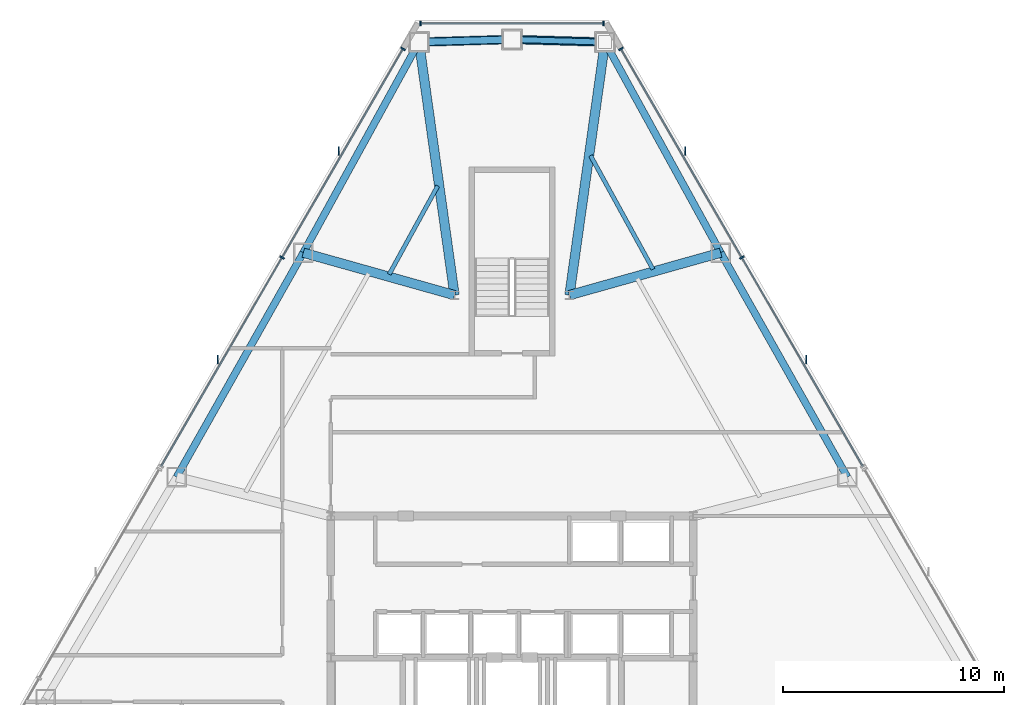
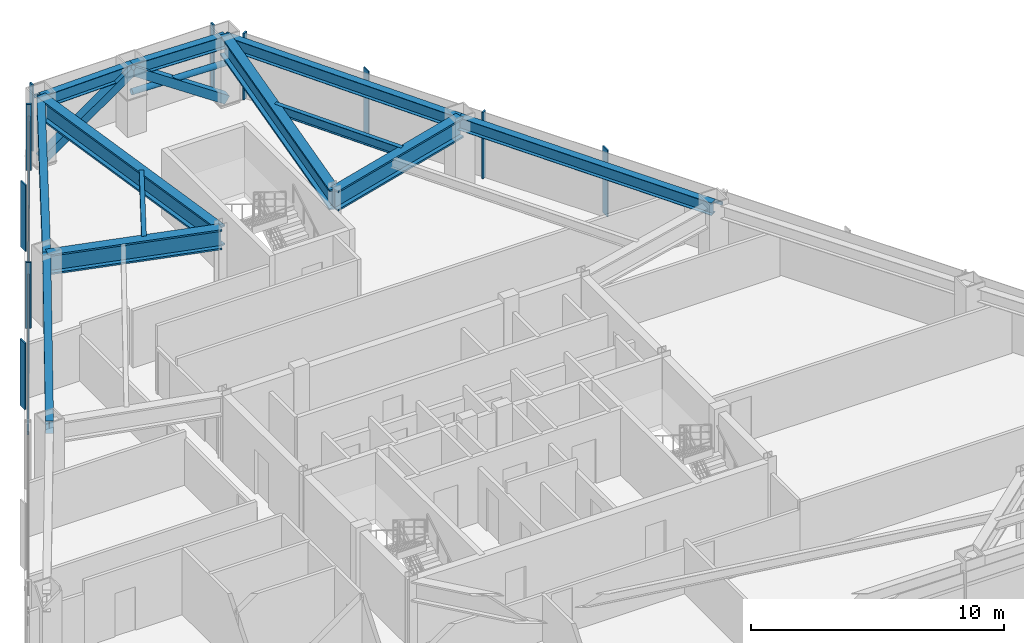
# One storey, part 8 of 13: 16 members, 12 beams, 3 elements without a shape of their own.
"""IFC4 building model written with IfcOpenShell, lengths in metres."""

from ifc_helpers import new_model, si_unit, direction, frame, origin, origin_2d, place, context, subcontext, project, spatial, rectangle, hollow_rectangle, hollow_circle, i_section, extrude, source, transform, mapped, material, layer, layer_set, material_profile, profile_set, type_object, type_shapes, element, aggregate, save


model = new_model("IFC4")

# Units and contexts
model_context = context("Model", 3, precision=1e-05, world=origin(), true_north=direction((0.0, 1.0)))
body_context = subcontext(model_context, "Body", "Model", "MODEL_VIEW")
ifc_project = project(units=[si_unit("LENGTHUNIT", "METRE"), si_unit("AREAUNIT", "SQUARE_METRE"), si_unit("VOLUMEUNIT", "CUBIC_METRE"), si_unit("PLANEANGLEUNIT", "RADIAN"), si_unit("MASSUNIT", "GRAM", prefix="KILO")], contexts=[model_context])

# Site, building, storey
site_placement = place(None, origin())
site = spatial("IfcSite", under=ifc_project, at=site_placement, CompositionType="ELEMENT")
building_placement = place(site_placement, origin())
building = spatial("IfcBuilding", under=site, at=building_placement, Name="Varakhsha Concourse Tower", CompositionType="ELEMENT")
storey_placement = place(building_placement, frame((0.0, 0.0, 126.35009765625)))
storey = spatial("IfcBuildingStorey", under=building, at=storey_placement, Name="L36", CompositionType="ELEMENT", Elevation=126.35009765625)

# Beams
ifc_material_1 = material(Name="Structural Steel ASTM A992 Grade 50", Category="steel")
ifc_material_profile_1 = material_profile(ifc_material_1, i_section(OverallWidth=0.19091796875, OverallDepth=0.45703125, WebThickness=0.009033203125, FlangeThickness=0.013916015625, at=origin_2d()), Name="W18X50")
ifc_profile_set_1 = profile_set([ifc_material_profile_1], Name="Structural Steel ASTM A992 Grade 50")
beam_type_1 = type_object("IfcBeamType", Name="BM-JST-W18X50", PredefinedType="JOIST", material=ifc_profile_set_1)
beam_1_placement = place(storey_placement, frame((36.63916015625, 46.142578125, 2.9814453125), z_axis=(-0.481510175504, -0.876440500482, 0.0), x_axis=(0.876440500482, -0.481510175504, 0.0)))
element("IfcBeam", 1, at=beam_1_placement, inside=storey, type_object=beam_type_1, Name="BM-TJST-L36-03", PredefinedType="JOIST", context=body_context, shape_type="SweptSolid", body=[
    extrude(i_section(OverallWidth=0.19091796875, OverallDepth=0.45703125, WebThickness=0.009033203125, FlangeThickness=0.013916015625, at=origin_2d()), origin(), (0.0, 0.0, 1.0), 4.5654296875),
])
beam_2_placement = place(storey_placement, frame((46.380615234375, 42.371826171875, 2.9814453125), z_axis=(-0.481513189039, 0.876438844861, 0.0), x_axis=(-0.876438844861, -0.481513189039, 0.0)))
element("IfcBeam", 2, at=beam_2_placement, inside=storey, type_object=beam_type_1, Name="BM-TJST-L36-18", PredefinedType="JOIST", context=body_context, shape_type="SweptSolid", body=[
    extrude(i_section(OverallWidth=0.19091796875, OverallDepth=0.45703125, WebThickness=0.009033203125, FlangeThickness=0.013916015625, at=origin_2d()), origin(), (0.0, 0.0, 1.0), 5.870361328125),
])
ifc_material_profile_2 = material_profile(ifc_material_1, i_section(OverallWidth=0.323974609375, OverallDepth=0.611083984375, WebThickness=0.012939453125, FlangeThickness=0.01904296875, at=origin_2d()), Name="W24X104")
ifc_profile_set_2 = profile_set([ifc_material_profile_2], Name="Structural Steel ASTM A992 Grade 50")
beam_type_2 = type_object("IfcBeamType", Name="BM-SPAN-W24X104", PredefinedType="SPANDREL", material=ifc_profile_set_2)
for number, where, z_axis, x_axis, name in (
    (3, (44.208984375, 52.652099609375, 2.904296875), (-0.999586391622, 0.028758401986, 0.0), (-0.028758401986, -0.999586391622, 0.0), "BM-SPAN-L36-01"),
    (4, (40.0, 52.773193359375, 2.904296875), (-0.999586391622, -0.028758401986, 0.0), (0.028758401986, -0.999586391622, 0.0), "BM-SPAN-L36-02"),
):
    element("IfcBeam", number, at=place(storey_placement, frame(where, z_axis=z_axis, x_axis=x_axis)), inside=storey, type_object=beam_type_2, Name=name, PredefinedType="SPANDREL", context=body_context, shape_type="SweptSolid", body=[
        extrude(i_section(OverallWidth=0.323974609375, OverallDepth=0.611083984375, WebThickness=0.012939453125, FlangeThickness=0.01904296875, at=origin_2d()), origin(), (0.0, 0.0, 1.0), 4.210693359375),
    ])
beam_3_placement = place(storey_placement, frame((35.791015625, 52.652099609375, 2.904296875), z_axis=(-0.481503329039, -0.876444261847, 0.0), x_axis=(0.876444261847, -0.481503329039, 0.0)))
element("IfcBeam", 5, at=beam_3_placement, inside=storey, type_object=beam_type_2, Name="BM-SPAN-L36-03", PredefinedType="SPANDREL", context=body_context, shape_type="SweptSolid", body=[
    extrude(i_section(OverallWidth=0.323974609375, OverallDepth=0.611083984375, WebThickness=0.012939453125, FlangeThickness=0.01904296875, at=origin_2d()), origin(), (0.0, 0.0, 1.0), 10.87548828125),
])
for number, where, z_axis, x_axis, name in (
    (6, (30.554443359375, 43.120361328125, 2.904296875), (-0.491700615918, -0.870764321907, 0.0), (0.870764321907, -0.491700615918, 0.0), "BM-SPAN-L36-04"),
    (7, (55.180419921875, 32.96435546875, 2.904296875), (-0.491700615918, 0.870764321907, 0.0), (-0.870764321907, -0.491700615918, 0.0), "BM-SPAN-L36-17"),
):
    element("IfcBeam", number, at=place(storey_placement, frame(where, z_axis=z_axis, x_axis=x_axis)), inside=storey, type_object=beam_type_2, Name=name, PredefinedType="SPANDREL", context=body_context, shape_type="SweptSolid", body=[
        extrude(i_section(OverallWidth=0.323974609375, OverallDepth=0.611083984375, WebThickness=0.012939453125, FlangeThickness=0.01904296875, at=origin_2d()), origin(), (0.0, 0.0, 1.0), 11.663330078125),
    ])
beam_4_placement = place(storey_placement, frame((49.445556640625, 43.120361328125, 2.904296875), z_axis=(-0.481503329039, 0.876444261847, 0.0), x_axis=(-0.876444261847, -0.481503329039, 0.0)))
element("IfcBeam", 8, at=beam_4_placement, inside=storey, type_object=beam_type_2, Name="BM-SPAN-L36-18", PredefinedType="SPANDREL", context=body_context, shape_type="SweptSolid", body=[
    extrude(i_section(OverallWidth=0.323974609375, OverallDepth=0.611083984375, WebThickness=0.012939453125, FlangeThickness=0.01904296875, at=origin_2d()), origin(), (0.0, 0.0, 1.0), 10.87548828125),
])
ifc_material_profile_3 = material_profile(ifc_material_1, i_section(OverallWidth=0.427978515625, OverallDepth=0.97509765625, WebThickness=0.050048828125, FlangeThickness=0.0810546875, at=origin_2d()), Name="W36X395")
ifc_profile_set_3 = profile_set([ifc_material_profile_3], Name="Structural Steel ASTM A992 Grade 50")
beam_type_3 = type_object("IfcBeamType", Name="BM-XFER-W36X395", PredefinedType="USERDEFINED", material=ifc_profile_set_3)
for number, where, z_axis, x_axis, name in (
    (9, (42.60009765625, 41.199951171875, 2.722412109375), (0.139121563406, 0.990275310505, 0.0), (-0.990275310505, 0.139121563406, 0.0), "L36 Radial Floor Girder 01"),
    (10, (37.39990234375, 41.199951171875, 2.722412109375), (-0.139121563406, 0.990275310505, 0.0), (-0.990275310505, -0.139121563406, 0.0), "L36 Radial Floor Girder 03"),
):
    element("IfcBeam", number, at=place(storey_placement, frame(where, z_axis=z_axis, x_axis=x_axis)), inside=storey, type_object=beam_type_3, Name=name, ObjectType="GIRDER", PredefinedType="USERDEFINED", context=body_context, shape_type="SweptSolid", body=[
        extrude(i_section(OverallWidth=0.427978515625, OverallDepth=0.97509765625, WebThickness=0.050048828125, FlangeThickness=0.0810546875, at=origin_2d()), origin(), (0.0, 0.0, 1.0), 11.564697265625),
    ])
for number, where, z_axis, x_axis, name in (
    (11, (37.39990234375, 41.199951171875, 2.722412109375), (-0.962829448279, 0.270110076685, 0.0), (-0.270110076685, -0.962829448279, 0.0), "L36 Radial Floor Girder 04"),
    (12, (42.60009765625, 41.199951171875, 2.722412109375), (0.962829448279, 0.270110076685, 0.0), (-0.270110076685, 0.962829448279, 0.0), "L36 Radial Floor Girder 18"),
):
    element("IfcBeam", number, at=place(storey_placement, frame(where, z_axis=z_axis, x_axis=x_axis)), inside=storey, type_object=beam_type_3, Name=name, ObjectType="GIRDER", PredefinedType="USERDEFINED", context=body_context, shape_type="SweptSolid", body=[
        extrude(i_section(OverallWidth=0.427978515625, OverallDepth=0.97509765625, WebThickness=0.050048828125, FlangeThickness=0.0810546875, at=origin_2d()), origin(), (0.0, 0.0, 1.0), 7.109619140625),
    ])

# Members
ifc_material_2 = material(Name="Structural Steel ASTM A500 Grade C", Category="steel")
ifc_material_profile_4 = material_profile(ifc_material_2, hollow_rectangle(XDim=0.39990234375, YDim=0.39990234375, WallThickness=0.01611328125, at=origin_2d()), Name="HSS 400x400x16")
ifc_profile_set_4 = profile_set([ifc_material_profile_4], Name="Structural Steel ASTM A500 Grade C")
member_type_1 = type_object("IfcMemberType", Name="MB-TUBE-HSS400", PredefinedType="BRACE", material=ifc_profile_set_4)
shared_shape_1 = source(origin(), body_context, "Body", "SweptSolid", [
    extrude(hollow_rectangle(XDim=0.39990234375, YDim=0.39990234375, WallThickness=0.01611328125, at=origin_2d()), origin(), (0.0, 0.0, 1.0), 5.05126953125),
])
type_shapes(member_type_1, [shared_shape_1])
for number, where, z_axis, x_axis, name in (
    (13, (44.208984375, 52.652099609375, 0.119873046875), (-0.833265723688, 0.023973306204, 0.552352708255), (-0.028758401986, -0.999586391622, 0.0), "L36 Wind-Corner Tube Brace B01"),
    (14, (35.791015625, 52.652099609375, 0.119873046875), (0.833265723688, 0.023973306204, 0.552352708255), (-0.028758401986, 0.999586391622, 0.0), "L36 Wind-Corner Tube Brace B02"),
):
    element("IfcMember", number, at=place(storey_placement, frame(where, z_axis=z_axis, x_axis=x_axis)), inside=storey, type_object=member_type_1, Name=name, PredefinedType="BRACE", context=body_context, shape_type="MappedRepresentation", body=[
        mapped(shared_shape_1, transform((0.0, 0.0, 0.0), scale=1.0)),
    ])
ifc_material_profile_5 = material_profile(ifc_material_2, hollow_circle(Radius=0.136474609375, WallThickness=0.011962890625, at=origin_2d()), Name="CHS 273x12")
ifc_profile_set_5 = profile_set([ifc_material_profile_5], Name="Structural Steel ASTM A500 Grade C")
member_type_2 = type_object("IfcMemberType", Name="MB-WIND-CHS273", PredefinedType="COLLAR", material=ifc_profile_set_5)
shared_shape_2 = source(origin(), body_context, "Body", "SweptSolid", [
    extrude(hollow_circle(Radius=0.136474609375, WallThickness=0.011962890625, at=origin_2d()), origin(), (0.0, 0.0, 1.0), 4.210693359375),
])
type_shapes(member_type_2, [shared_shape_2])
member_1_placement = place(storey_placement, frame((44.208984375, 52.652099609375, 1.7998046875), z_axis=(-0.999586391622, 0.028758401986, 0.0), x_axis=(-0.028758401986, -0.999586391622, 0.0)))
element("IfcMember", 15, at=member_1_placement, inside=storey, type_object=member_type_2, Name="L36 Wind-Corner Collar Tie 1", PredefinedType="COLLAR", context=body_context, shape_type="MappedRepresentation", body=[
    mapped(shared_shape_2, transform((0.0, 0.0, 0.0), scale=1.0)),
])

# Curtain wall, members
ifc_material_3 = material(Name="Anodised Bronze Architectural Aluminium AA 6063-T6", Category="aluminium")
ifc_layer = layer(ifc_material_3, 0.2099609375, Name="CW-SYS-04")
ifc_layer_set = layer_set([ifc_layer], Name="Anodised Bronze Architectural Aluminium AA 6063-T6")
curtain_wall_type = type_object("IfcCurtainWallType", Name="CW-SYS-04", PredefinedType="NOTDEFINED", material=ifc_layer_set)
curtain_wall_1_placement = place(storey_placement, origin())
curtain_wall_1 = element("IfcCurtainWall", 16, at=curtain_wall_1_placement, inside=storey, type_object=curtain_wall_type, Name="L36 Chamfer Curtain Wall F1", PredefinedType="NOTDEFINED")
ifc_material_profile_6 = material_profile(ifc_material_3, rectangle(XDim=0.074951171875, YDim=0.219970703125, at=origin_2d()), Name="CWM-220X75")
ifc_profile_set_6 = profile_set([ifc_material_profile_6], Name="Anodised Bronze Architectural Aluminium AA 6063-T6")
member_type_3 = type_object("IfcMemberType", Name="CWM-220X75", PredefinedType="MULLION", material=ifc_profile_set_6)
shared_shape_3 = source(origin(), body_context, "Body", "SweptSolid", [
    extrude(rectangle(XDim=0.074951171875, YDim=0.219970703125, at=origin_2d()), origin(), (0.0, 0.0, 1.0), 3.2099609375),
])
type_shapes(member_type_3, [shared_shape_3])
member_2_placement = place(storey_placement, frame((35.86279296875, 53.4931640625, 0.0), z_axis=(0.0, 0.0, 1.0), x_axis=(1.0, 0.0, 0.0)))
member_2 = element("IfcMember", 17, at=member_2_placement, type_object=member_type_3, Name="CW-L36-F1 Mullion 00", PredefinedType="MULLION", context=body_context, shape_type="MappedRepresentation", body=[
    mapped(shared_shape_3, transform((0.0, 0.0, 0.0), scale=1.0)),
])
member_3_placement = place(storey_placement, frame((44.13720703125, 53.4931640625, 0.0), z_axis=(0.0, 0.0, 1.0), x_axis=(1.0, 0.0, 0.0)))
member_3 = element("IfcMember", 18, at=member_3_placement, type_object=member_type_3, Name="CW-L36-F1 Mullion 01", PredefinedType="MULLION", context=body_context, shape_type="MappedRepresentation", body=[
    mapped(shared_shape_3, transform((0.0, 0.0, 0.0), scale=1.0)),
])

curtain_wall_2_placement = place(storey_placement, origin())
curtain_wall_2 = element("IfcCurtainWall", 19, at=curtain_wall_2_placement, inside=storey, type_object=curtain_wall_type, Name="L36 Crystal Curtain Wall F2", PredefinedType="NOTDEFINED")
member_4_placement = place(storey_placement, frame((29.595458984375, 42.90185546875, 0.0), z_axis=(0.0, 0.0, 1.0), x_axis=(0.501513757105, 0.865149669962, 0.0)))
member_4 = element("IfcMember", 20, at=member_4_placement, type_object=member_type_3, Name="CW-L36-F2 Mullion 01", PredefinedType="MULLION", context=body_context, shape_type="MappedRepresentation", body=[
    mapped(shared_shape_3, transform((0.0, 0.0, 0.0), scale=1.0)),
])
member_5_placement = place(storey_placement, frame((35.069091796875, 52.344482421875, 0.0), z_axis=(0.0, 0.0, 1.0), x_axis=(0.501513757105, 0.865149669962, 0.0)))
member_5 = element("IfcMember", 21, at=member_5_placement, type_object=member_type_3, Name="CW-L36-F2 Mullion 02", PredefinedType="MULLION", context=body_context, shape_type="MappedRepresentation", body=[
    mapped(shared_shape_3, transform((0.0, 0.0, 0.0), scale=1.0)),
])

curtain_wall_3_placement = place(storey_placement, origin())
curtain_wall_3 = element("IfcCurtainWall", 22, at=curtain_wall_3_placement, inside=storey, type_object=curtain_wall_type, Name="L36 Crystal Curtain Wall F9", PredefinedType="NOTDEFINED")
member_6_placement = place(storey_placement, frame((44.930908203125, 52.344482421875, 0.0), z_axis=(0.0, 0.0, 1.0), x_axis=(0.501513757105, -0.865149669962, 0.0)))
member_6 = element("IfcMember", 23, at=member_6_placement, type_object=member_type_3, Name="CW-L36-F9 Mullion 00", PredefinedType="MULLION", context=body_context, shape_type="MappedRepresentation", body=[
    mapped(shared_shape_3, transform((0.0, 0.0, 0.0), scale=1.0)),
])
member_7_placement = place(storey_placement, frame((50.404541015625, 42.90185546875, 0.0), z_axis=(0.0, 0.0, 1.0), x_axis=(0.501513757105, -0.865149669962, 0.0)))
member_7 = element("IfcMember", 24, at=member_7_placement, type_object=member_type_3, Name="CW-L36-F9 Mullion 01", PredefinedType="MULLION", context=body_context, shape_type="MappedRepresentation", body=[
    mapped(shared_shape_3, transform((0.0, 0.0, 0.0), scale=1.0)),
])

# Member
ifc_material_profile_7 = material_profile(ifc_material_3, rectangle(XDim=0.06494140625, YDim=0.159912109375, at=origin_2d()), Name="CWT-160X65")
ifc_profile_set_7 = profile_set([ifc_material_profile_7], Name="Anodised Bronze Architectural Aluminium AA 6063-T6")
member_type_4 = type_object("IfcMemberType", Name="CWT-160X65", PredefinedType="USERDEFINED", material=ifc_profile_set_7)
shared_shape_4 = source(origin(), body_context, "Body", "SweptSolid", [
    extrude(rectangle(XDim=0.06494140625, YDim=0.159912109375, at=origin_2d()), origin(), (0.0, 0.0, 1.0), 21.828857421875),
])
member_8_placement = place(storey_placement, frame((24.121826171875, 33.459228515625, 2.559814453125), z_axis=(0.501506171325, 0.865154067276, 0.0), x_axis=(-0.865154067276, 0.501506171325, 0.0)))
member_8 = element("IfcMember", 25, at=member_8_placement, type_object=member_type_4, Name="CW-L36-F2 Transom 01", ObjectType="TRANSOM", PredefinedType="USERDEFINED", context=body_context, shape_type="MappedRepresentation", body=[
    mapped(shared_shape_4, transform((0.0, 0.0, 0.0), scale=1.0)),
])

member_9_placement = place(storey_placement, frame((44.930908203125, 52.344482421875, 2.559814453125), z_axis=(0.501506171325, -0.865154067276, 0.0), x_axis=(0.865154067276, 0.501506171325, 0.0)))
member_9 = element("IfcMember", 26, at=member_9_placement, type_object=member_type_4, Name="CW-L36-F9 Transom 01", ObjectType="TRANSOM", PredefinedType="USERDEFINED", context=body_context, shape_type="MappedRepresentation", body=[
    mapped(shared_shape_4, transform((0.0, 0.0, 0.0), scale=1.0)),
])

ifc_material_profile_8 = material_profile(ifc_material_3, rectangle(XDim=0.06005859375, YDim=0.3798828125, at=origin_2d()), Name="FIN-BRZ-380")
ifc_profile_set_8 = profile_set([ifc_material_profile_8], Name="Anodised Bronze Architectural Aluminium AA 6063-T6")
member_type_5 = type_object("IfcMemberType", Name="FIN-BRZ-380", PredefinedType="USERDEFINED", material=ifc_profile_set_8)
shared_shape_5 = source(origin(), body_context, "Body", "SweptSolid", [
    extrude(rectangle(XDim=0.06005859375, YDim=0.3798828125, at=origin_2d()), origin(), (0.0, 0.0, 1.0), 3.2099609375),
])
type_shapes(member_type_5, [shared_shape_5])
member_10_placement = place(storey_placement, frame((26.681396484375, 38.283447265625, 0.0), z_axis=(0.0, 0.0, 1.0), x_axis=(1.0, 0.0, 0.0)))
member_10 = element("IfcMember", 27, at=member_10_placement, type_object=member_type_5, Name="L36 Anodised Bronze Solar Fin F2-1", ObjectType="SOLAR FIN", PredefinedType="USERDEFINED", context=body_context, shape_type="MappedRepresentation", body=[
    mapped(shared_shape_5, transform((0.0, 0.0, 0.0), scale=1.0)),
])

member_11_placement = place(storey_placement, frame((32.155029296875, 47.725830078125, 0.0), z_axis=(0.0, 0.0, 1.0), x_axis=(1.0, 0.0, 0.0)))
member_11 = element("IfcMember", 28, at=member_11_placement, type_object=member_type_5, Name="L36 Anodised Bronze Solar Fin F2-2", ObjectType="SOLAR FIN", PredefinedType="USERDEFINED", context=body_context, shape_type="MappedRepresentation", body=[
    mapped(shared_shape_5, transform((0.0, 0.0, 0.0), scale=1.0)),
])

aggregate(curtain_wall_2, [member_4, member_5, member_8, member_10, member_11])

member_12_placement = place(storey_placement, frame((47.844970703125, 47.725830078125, 0.0), z_axis=(0.0, 0.0, 1.0), x_axis=(1.0, 0.0, 0.0)))
member_12 = element("IfcMember", 29, at=member_12_placement, type_object=member_type_5, Name="L36 Anodised Bronze Solar Fin F9-1", ObjectType="SOLAR FIN", PredefinedType="USERDEFINED", context=body_context, shape_type="MappedRepresentation", body=[
    mapped(shared_shape_5, transform((0.0, 0.0, 0.0), scale=1.0)),
])

member_13_placement = place(storey_placement, frame((53.318603515625, 38.283447265625, 0.0), z_axis=(0.0, 0.0, 1.0), x_axis=(1.0, 0.0, 0.0)))
member_13 = element("IfcMember", 30, at=member_13_placement, type_object=member_type_5, Name="L36 Anodised Bronze Solar Fin F9-2", ObjectType="SOLAR FIN", PredefinedType="USERDEFINED", context=body_context, shape_type="MappedRepresentation", body=[
    mapped(shared_shape_5, transform((0.0, 0.0, 0.0), scale=1.0)),
])

aggregate(curtain_wall_3, [member_6, member_7, member_9, member_12, member_13])

shared_shape_6 = source(origin(), body_context, "Body", "SweptSolid", [
    extrude(rectangle(XDim=0.06494140625, YDim=0.159912109375, at=origin_2d()), origin(), (0.0, 0.0, 1.0), 8.2744140625),
])
type_shapes(member_type_4, [shared_shape_4, shared_shape_6])
member_14_placement = place(storey_placement, frame((35.86279296875, 53.4931640625, 2.559814453125), z_axis=(1.0, 0.0, 0.0), x_axis=(0.0, 1.0, 0.0)))
member_14 = element("IfcMember", 31, at=member_14_placement, type_object=member_type_4, Name="CW-L36-F1 Transom 01", ObjectType="TRANSOM", PredefinedType="USERDEFINED", context=body_context, shape_type="MappedRepresentation", body=[
    mapped(shared_shape_6, transform((0.0, 0.0, 0.0), scale=1.0)),
])

aggregate(curtain_wall_1, [member_2, member_3, member_14])

save(model, "model.ifc")
